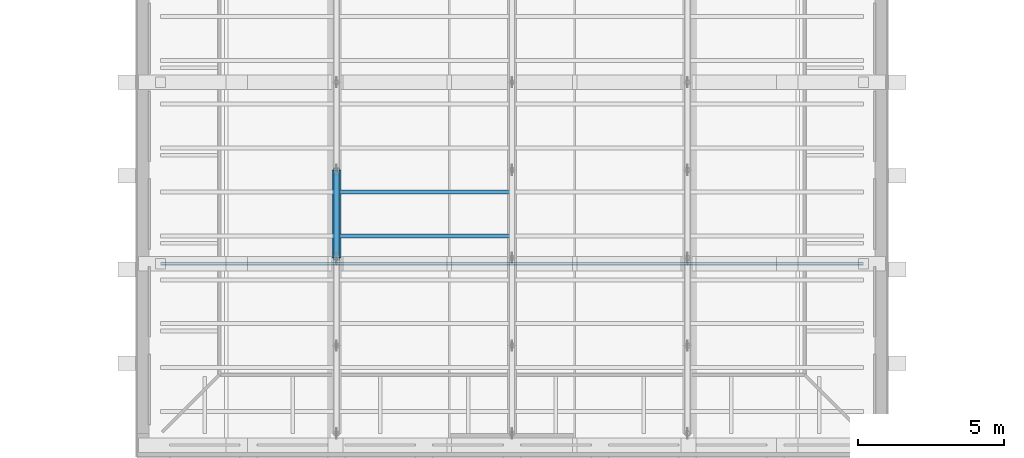
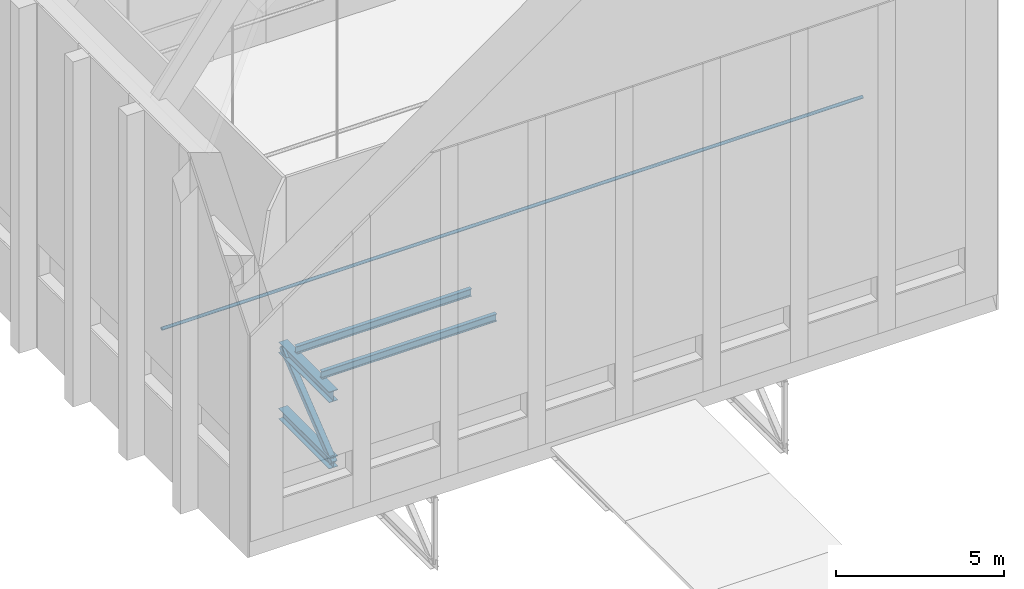
# One storey, part 9 of 55: 4 members, 2 beams.
"""IFC4 building model written with IfcOpenShell, lengths in metres."""

from ifc_helpers import new_model, si_unit, direction, frame, origin, origin_2d, place, context, subcontext, project, spatial, hollow_rectangle, hollow_circle, i_section, extrude, material, material_profile, profile_set, type_object, element, save


model = new_model("IFC4")

# Units and contexts
model_context = context("Model", 3, precision=1e-05, world=origin(), true_north=direction((0.0, 1.0)))
body_context = subcontext(model_context, "Body", "Model", "MODEL_VIEW")
ifc_project = project(units=[si_unit("LENGTHUNIT", "METRE"), si_unit("AREAUNIT", "SQUARE_METRE"), si_unit("VOLUMEUNIT", "CUBIC_METRE"), si_unit("PLANEANGLEUNIT", "RADIAN"), si_unit("MASSUNIT", "GRAM", prefix="KILO")], contexts=[model_context])

# Site, building, storey
site_placement = place(None, origin())
site = spatial("IfcSite", under=ifc_project, at=site_placement, CompositionType="ELEMENT")
building_placement = place(site_placement, origin())
building = spatial("IfcBuilding", under=site, at=building_placement, Name="Lunette Opera House", CompositionType="ELEMENT")
storey_placement = place(building_placement, frame((0.0, 0.0, 34.0)))
storey = spatial("IfcBuildingStorey", under=building, at=storey_placement, Name="L06", CompositionType="ELEMENT", Elevation=34.0)

# Members
ifc_material_1 = material(Name="Steel S355", Category="steel")
ifc_material_profile_1 = material_profile(ifc_material_1, i_section(OverallWidth=0.300048828125, OverallDepth=0.389892578125, WebThickness=0.010986328125, FlangeThickness=0.01904296875, FilletRadius=0.027099609375, at=origin_2d()), Name="HEA 400")
ifc_profile_set_1 = profile_set([ifc_material_profile_1], Name="Steel S355")
member_type_1 = type_object("IfcMemberType", Name="CHORD HEA 400", PredefinedType="CHORD", material=ifc_profile_set_1)
for number, where, z_axis, x_axis, name in (
    (1, (90.0, 102.0, -0.6650390625), (0.0, 1.0, 0.0), (-1.0, 0.0, 0.0), "mem-ST-L06-ST-TR01-TC3"),
    (2, (90.0, 102.0, -3.06494140625), (0.0, 1.0, 0.0), (-1.0, 0.0, 0.0), "mem-ST-L06-ST-TR01-BC3"),
):
    element("IfcMember", number, at=place(storey_placement, frame(where, z_axis=z_axis, x_axis=x_axis)), inside=storey, type_object=member_type_1, Name=name, PredefinedType="CHORD", context=body_context, shape_type="SweptSolid", body=[
        extrude(i_section(OverallWidth=0.300048828125, OverallDepth=0.389892578125, WebThickness=0.010986328125, FlangeThickness=0.01904296875, FilletRadius=0.027099609375, at=origin_2d()), origin(), (0.0, 0.0, 1.0), 3.0),
    ])
ifc_material_2 = material(Name="Steel S355", Category="steel")
ifc_material_profile_2 = material_profile(ifc_material_2, hollow_rectangle(XDim=0.199951171875, YDim=0.199951171875, WallThickness=0.008056640625, InnerFilletRadius=0.008056640625, OuterFilletRadius=0.01611328125, at=origin_2d()), Name="RHS 200X200X8")
ifc_profile_set_2 = profile_set([ifc_material_profile_2], Name="Steel S355")
member_type_2 = type_object("IfcMemberType", Name="DIAGONAL RHS 200X200X8", PredefinedType="BRACE", material=ifc_profile_set_2)
member_1_placement = place(storey_placement, frame((90.0, 102.0, -3.06494140625), z_axis=(0.0, 0.780881208953, 0.624679547852), x_axis=(-1.0, 0.0, 0.0)))
element("IfcMember", 3, at=member_1_placement, inside=storey, type_object=member_type_2, Name="mem-ST-L06-ST-TR01-TD3", PredefinedType="BRACE", context=body_context, shape_type="SweptSolid", body=[
    extrude(hollow_rectangle(XDim=0.199951171875, YDim=0.199951171875, WallThickness=0.008056640625, InnerFilletRadius=0.008056640625, OuterFilletRadius=0.01611328125, at=origin_2d()), origin(), (0.0, 0.0, 1.0), 3.841796875),
])

# Beams
ifc_material_3 = material(Name="Steel S355", Category="steel")
ifc_material_profile_3 = material_profile(ifc_material_3, i_section(OverallWidth=0.135009765625, OverallDepth=0.27001953125, WebThickness=0.006591796875, FlangeThickness=0.01025390625, FilletRadius=0.014892578125, at=origin_2d()), Name="IPE 270")
ifc_profile_set_3 = profile_set([ifc_material_profile_3], Name="Steel S355")
beam_type = type_object("IfcBeamType", Name="STEEL BEAM IPE 270", PredefinedType="BEAM", material=ifc_profile_set_3)
for number, where, z_axis, x_axis, name in (
    (4, (90.0, 102.75, -0.3349609375), (1.0, 0.0, 0.0), (0.0, 1.0, 0.0), "beam-ST-L06-GRID-10275-2"),
    (5, (90.0, 104.25, -0.3349609375), (1.0, 0.0, 0.0), (0.0, 1.0, 0.0), "beam-ST-L06-GRID-10425-2"),
):
    element("IfcBeam", number, at=place(storey_placement, frame(where, z_axis=z_axis, x_axis=x_axis)), inside=storey, type_object=beam_type, Name=name, PredefinedType="BEAM", context=body_context, shape_type="SweptSolid", body=[
        extrude(i_section(OverallWidth=0.135009765625, OverallDepth=0.27001953125, WebThickness=0.006591796875, FlangeThickness=0.01025390625, FilletRadius=0.014892578125, at=origin_2d()), origin(), (0.0, 0.0, 1.0), 6.0),
    ])

# Member
ifc_material_4 = material(Name="Steel S355", Category="steel")
ifc_material_profile_4 = material_profile(ifc_material_4, hollow_circle(Radius=0.05712890625, WallThickness=0.006103515625, at=origin_2d()), Name="CHS 114.3X6")
ifc_profile_set_4 = profile_set([ifc_material_profile_4], Name="Steel S355")
member_type_3 = type_object("IfcMemberType", Name="TIE CHS 114.3X6", PredefinedType="STRUT", material=ifc_profile_set_4)
member_2_placement = place(storey_placement, frame((83.989990234375, 101.800048828125, 4.0), z_axis=(1.0, 0.0, 0.0), x_axis=(0.0, 1.0, 0.0)))
element("IfcMember", 6, at=member_2_placement, inside=storey, type_object=member_type_3, Name="mem-ST-L06-TT2", PredefinedType="STRUT", context=body_context, shape_type="SweptSolid", body=[
    extrude(hollow_circle(Radius=0.05712890625, WallThickness=0.006103515625, at=origin_2d()), origin(), (0.0, 0.0, 1.0), 24.02001953125),
])

save(model, "model.ifc")
